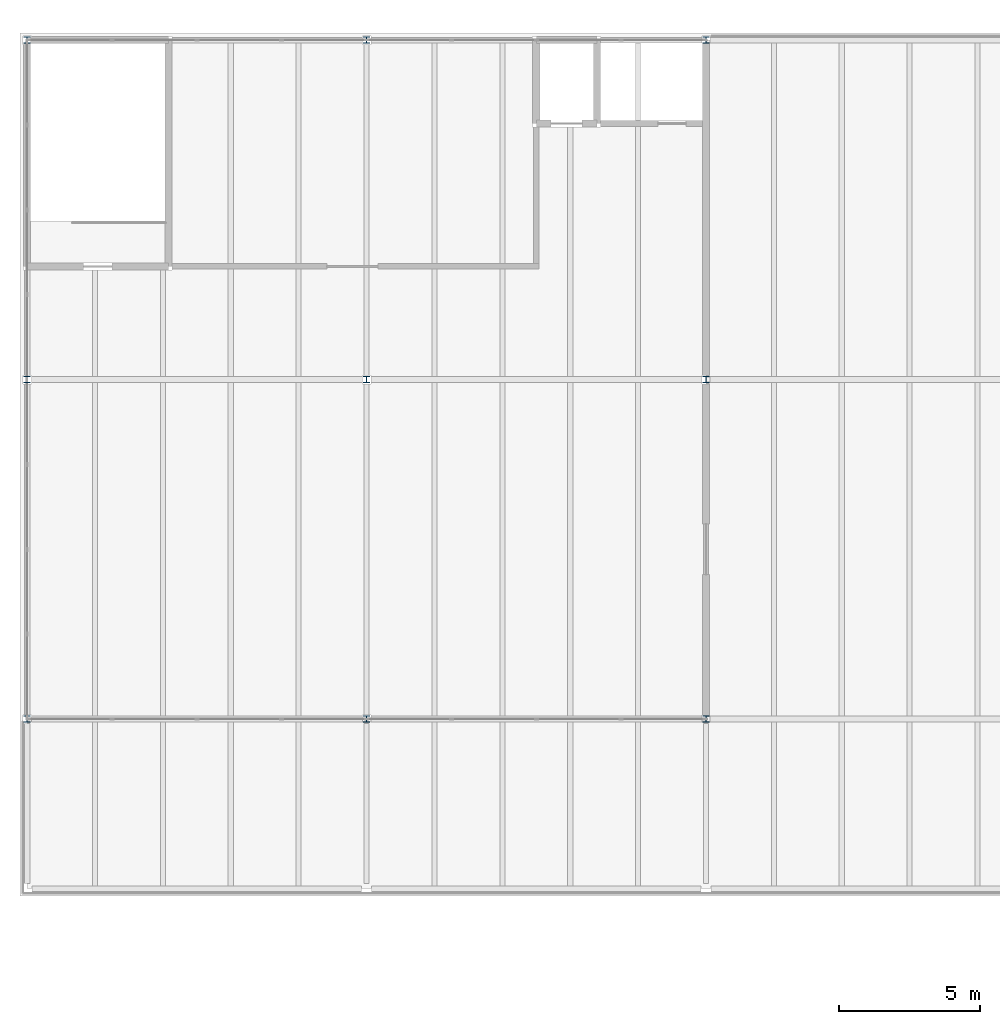
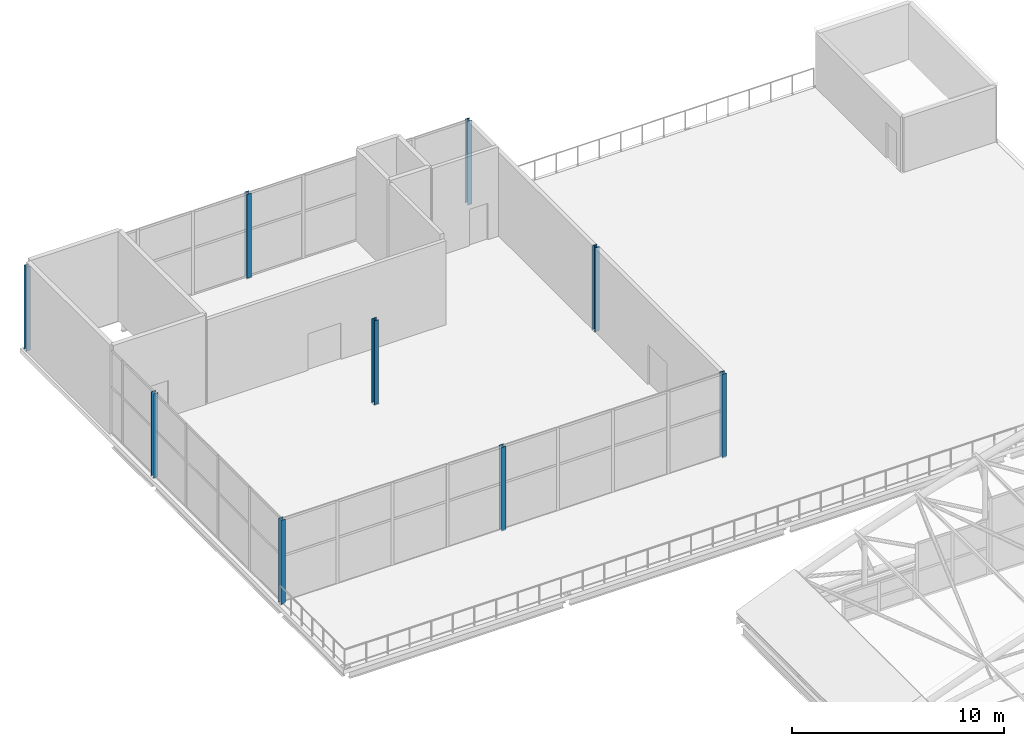
# One storey, part 10 of 321: 9 columns.
"""IFC4 building model written with IfcOpenShell, lengths in metres."""

from ifc_helpers import new_model, si_unit, direction, frame, origin, origin_2d, place, context, subcontext, project, spatial, i_section, extrude, material, material_profile, profile_set, type_object, element, save


model = new_model("IFC4")

# Units and contexts
model_context = context("Model", 3, precision=1e-05, world=origin(), true_north=direction((0.0, 1.0)))
body_context = subcontext(model_context, "Body", "Model", "MODEL_VIEW")
ifc_project = project(units=[si_unit("LENGTHUNIT", "METRE"), si_unit("AREAUNIT", "SQUARE_METRE"), si_unit("VOLUMEUNIT", "CUBIC_METRE"), si_unit("PLANEANGLEUNIT", "RADIAN"), si_unit("MASSUNIT", "GRAM", prefix="KILO")], contexts=[model_context])

# Site, building, storey
site_placement = place(None, origin())
site = spatial("IfcSite", under=ifc_project, at=site_placement, CompositionType="ELEMENT")
building_placement = place(site_placement, origin())
building = spatial("IfcBuilding", under=site, at=building_placement, Name="Ravi Spectrum Wholesale Market", CompositionType="ELEMENT")
storey_placement = place(building_placement, frame((0.0, 0.0, 10.800048828125)))
storey = spatial("IfcBuildingStorey", under=building, at=storey_placement, Name="L02", CompositionType="ELEMENT", Elevation=10.800048828125)

# Columns
ifc_material = material(Name="Steel S355", Category="steel")
ifc_material_profile = material_profile(ifc_material, i_section(OverallWidth=0.239990234375, OverallDepth=0.239990234375, WebThickness=0.010009765625, FlangeThickness=0.01708984375, at=origin_2d()))
ifc_profile_set = profile_set([ifc_material_profile], Name="Steel S355")
column_type = type_object("IfcColumnType", Name="HEB 240 column", PredefinedType="COLUMN", material=ifc_profile_set)
for number, where, z_axis, x_axis, name in (
    (1, (12.0, 210.0, 0.0), (0.0, 0.0, 1.0), (1.0, 0.0, 0.0), "OF-COL-L02-001"),
    (2, (12.0, 222.0, 0.0), (0.0, 0.0, 1.0), (1.0, 0.0, 0.0), "OF-COL-L02-002"),
    (3, (12.0, 234.0, 0.0), (0.0, 0.0, 1.0), (1.0, 0.0, 0.0), "OF-COL-L02-003"),
    (4, (24.0, 210.0, 0.0), (0.0, 0.0, 1.0), (1.0, 0.0, 0.0), "OF-COL-L02-004"),
    (5, (24.0, 222.0, 0.0), (0.0, 0.0, 1.0), (1.0, 0.0, 0.0), "OF-COL-L02-005"),
    (6, (24.0, 234.0, 0.0), (0.0, 0.0, 1.0), (1.0, 0.0, 0.0), "OF-COL-L02-006"),
    (7, (36.0, 210.0, 0.0), (0.0, 0.0, 1.0), (1.0, 0.0, 0.0), "OF-COL-L02-007"),
    (8, (36.0, 222.0, 0.0), (0.0, 0.0, 1.0), (1.0, 0.0, 0.0), "OF-COL-L02-008"),
    (9, (36.0, 234.0, 0.0), (0.0, 0.0, 1.0), (1.0, 0.0, 0.0), "OF-COL-L02-009"),
):
    element("IfcColumn", number, at=place(storey_placement, frame(where, z_axis=z_axis, x_axis=x_axis)), inside=storey, type_object=column_type, Name=name, PredefinedType="COLUMN", context=body_context, shape_type="SweptSolid", body=[
        extrude(i_section(OverallWidth=0.239990234375, OverallDepth=0.239990234375, WebThickness=0.010009765625, FlangeThickness=0.01708984375, at=origin_2d()), origin(), (0.0, 0.0, 1.0), 4.829833984375),
    ])

save(model, "model.ifc")
